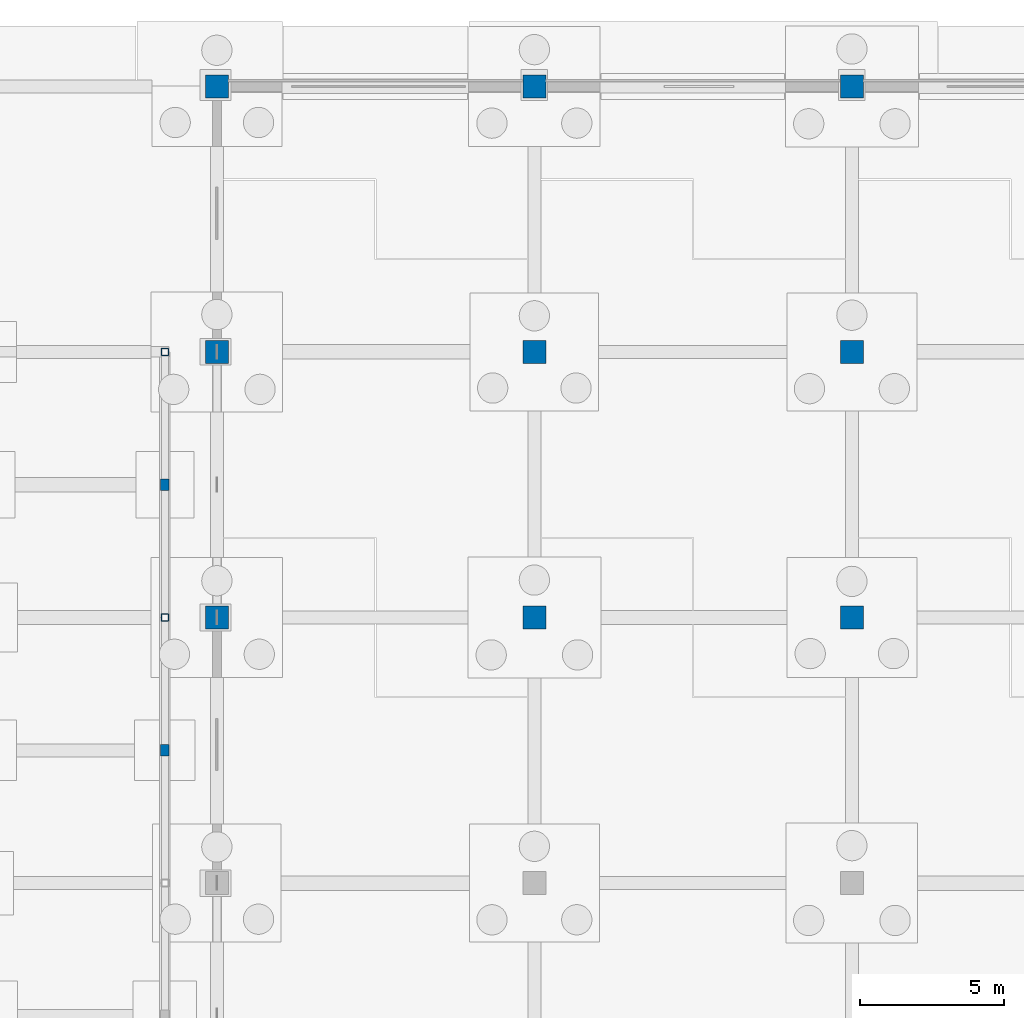
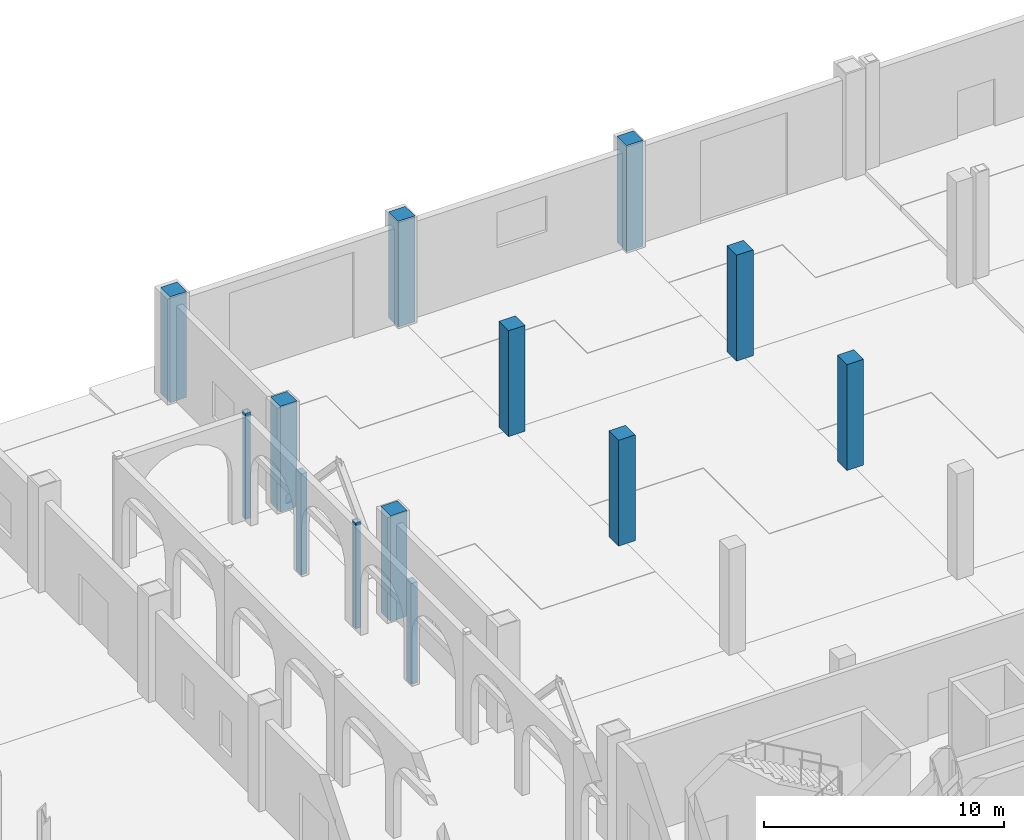
# One storey, part 27 of 83: 13 columns.
"""IFC4 building model written with IfcOpenShell, lengths in metres."""

from ifc_helpers import new_model, si_unit, direction, frame, origin, origin_2d, place, context, subcontext, project, spatial, rectangle, hollow_rectangle, extrude, material, material_profile, profile_set, type_object, element, save


model = new_model("IFC4")

# Units and contexts
model_context = context("Model", 3, precision=1e-05, world=origin(), true_north=direction((0.0, 1.0)))
body_context = subcontext(model_context, "Body", "Model", "MODEL_VIEW")
ifc_project = project(units=[si_unit("LENGTHUNIT", "METRE"), si_unit("AREAUNIT", "SQUARE_METRE"), si_unit("VOLUMEUNIT", "CUBIC_METRE"), si_unit("PLANEANGLEUNIT", "RADIAN"), si_unit("MASSUNIT", "GRAM", prefix="KILO")], contexts=[model_context])

# Site, building, storey
site_placement = place(None, origin())
site = spatial("IfcSite", under=ifc_project, at=site_placement, CompositionType="ELEMENT")
building_placement = place(site_placement, origin())
building = spatial("IfcBuilding", under=site, at=building_placement, Name="Caurita Quay Ferry Terminal", CompositionType="ELEMENT")
storey_placement = place(building_placement, origin())
storey = spatial("IfcBuildingStorey", under=building, at=storey_placement, Name="L00", CompositionType="ELEMENT", Elevation=0.0)

# Columns
ifc_material_1 = material(Name="Hollow structural steel ASTM A500 Gr. C", Category="steel")
ifc_material_profile_1 = material_profile(ifc_material_1, hollow_rectangle(XDim=0.25390625, YDim=0.25390625, WallThickness=0.01171875, InnerFilletRadius=0.01171875, OuterFilletRadius=0.023681640625, at=origin_2d()), Name="HSS10X10X1/2")
ifc_profile_set_1 = profile_set([ifc_material_profile_1], Name="Hollow structural steel ASTM A500 Gr. C")
column_type_1 = type_object("IfcColumnType", Name="COL-HSS-03", PredefinedType="COLUMN", material=ifc_profile_set_1)
for number, where, z_axis, x_axis, name in (
    (1, (97.39990234375, 98.60009765625, 0.0), (0.0, 0.0, 1.0), (1.0, 0.0, 0.0), "L00 Column V6-E-P"),
    (2, (97.39990234375, 107.800048828125, 0.0), (0.0, 0.0, 1.0), (1.0, 0.0, 0.0), "L00 Column V6-E-Q"),
):
    element("IfcColumn", number, at=place(storey_placement, frame(where, z_axis=z_axis, x_axis=x_axis)), inside=storey, type_object=column_type_1, Name=name, PredefinedType="COLUMN", context=body_context, shape_type="SweptSolid", body=[
        extrude(hollow_rectangle(XDim=0.25390625, YDim=0.25390625, WallThickness=0.01171875, InnerFilletRadius=0.01171875, OuterFilletRadius=0.023681640625, at=origin_2d()), origin(), (0.0, 0.0, 1.0), 5.39990234375),
    ])
ifc_material_2 = material(Name="Marine reinforced concrete C40/50", Category="concrete")
ifc_material_profile_2 = material_profile(ifc_material_2, rectangle(XDim=0.800048828125, YDim=0.800048828125, at=origin_2d()), Name="RC-COL-800X800")
ifc_profile_set_2 = profile_set([ifc_material_profile_2], Name="Marine reinforced concrete C40/50")
column_type_2 = type_object("IfcColumnType", Name="COL-RC-800", PredefinedType="COLUMN", material=ifc_profile_set_2)
for number, where, z_axis, x_axis, name in (
    (3, (99.199951171875, 98.60009765625, 0.0), (0.0, 0.0, 1.0), (1.0, 0.0, 0.0), "L00 Column V4-11-P"),
    (4, (99.199951171875, 107.800048828125, 0.0), (0.0, 0.0, 1.0), (1.0, 0.0, 0.0), "L00 Column V4-11-Q"),
    (5, (99.199951171875, 117.0, 0.0), (0.0, 0.0, 1.0), (1.0, 0.0, 0.0), "L00 Column V4-11-R"),
    (6, (110.199951171875, 98.60009765625, 0.0), (0.0, 0.0, 1.0), (1.0, 0.0, 0.0), "L00 Column V4-12-P"),
    (7, (110.199951171875, 107.800048828125, 0.0), (0.0, 0.0, 1.0), (1.0, 0.0, 0.0), "L00 Column V4-12-Q"),
    (8, (110.199951171875, 117.0, 0.0), (0.0, 0.0, 1.0), (1.0, 0.0, 0.0), "L00 Column V4-12-R"),
    (9, (121.199951171875, 98.60009765625, 0.0), (0.0, 0.0, 1.0), (1.0, 0.0, 0.0), "L00 Column V4-13-P"),
    (10, (121.199951171875, 107.800048828125, 0.0), (0.0, 0.0, 1.0), (1.0, 0.0, 0.0), "L00 Column V4-13-Q"),
    (11, (121.199951171875, 117.0, 0.0), (0.0, 0.0, 1.0), (1.0, 0.0, 0.0), "L00 Column V4-13-R"),
):
    element("IfcColumn", number, at=place(storey_placement, frame(where, z_axis=z_axis, x_axis=x_axis)), inside=storey, type_object=column_type_2, Name=name, PredefinedType="COLUMN", context=body_context, shape_type="SweptSolid", body=[
        extrude(rectangle(XDim=0.800048828125, YDim=0.800048828125, at=origin_2d()), origin(), (0.0, 0.0, 1.0), 5.39990234375),
    ])
ifc_material_3 = material(Name="Reinforced concrete C35/45", Category="concrete")
ifc_material_profile_3 = material_profile(ifc_material_3, rectangle(XDim=0.300048828125, YDim=0.39990234375, at=origin_2d()), Name="RC-PIL-400X300")
ifc_profile_set_3 = profile_set([ifc_material_profile_3], Name="Reinforced concrete C35/45")
column_type_3 = type_object("IfcColumnType", Name="PIL-RC-4030", PredefinedType="PILASTER", material=ifc_profile_set_3)
for number, where, z_axis, x_axis, name in (
    (12, (97.39990234375, 94.0, 0.0), (0.0, 0.0, 1.0), (1.0, 0.0, 0.0), "L00 Portico Arcade Pilaster PIL-07"),
    (13, (97.39990234375, 103.199951171875, 0.0), (0.0, 0.0, 1.0), (1.0, 0.0, 0.0), "L00 Portico Arcade Pilaster PIL-08"),
):
    element("IfcColumn", number, at=place(storey_placement, frame(where, z_axis=z_axis, x_axis=x_axis)), inside=storey, type_object=column_type_3, Name=name, PredefinedType="PILASTER", context=body_context, shape_type="SweptSolid", body=[
        extrude(rectangle(XDim=0.300048828125, YDim=0.39990234375, at=origin_2d()), origin(), (0.0, 0.0, 1.0), 5.14990234375),
    ])

save(model, "model.ifc")
